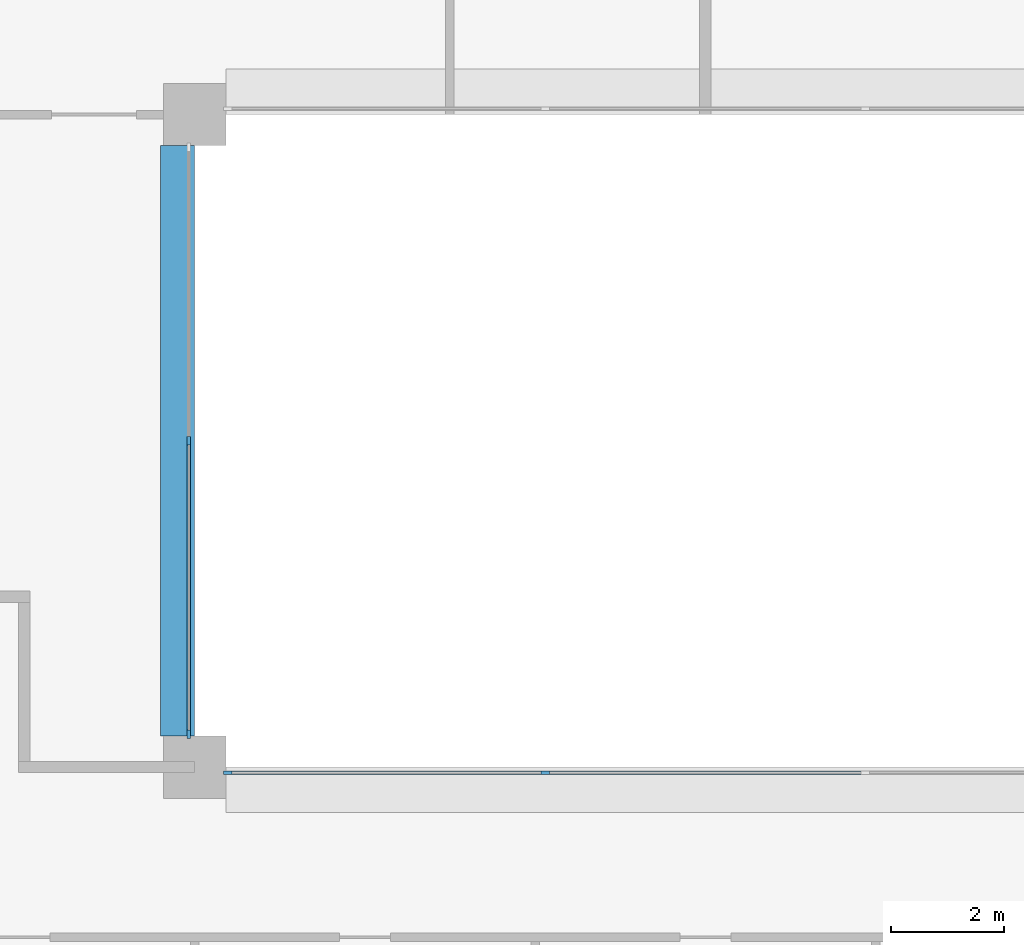
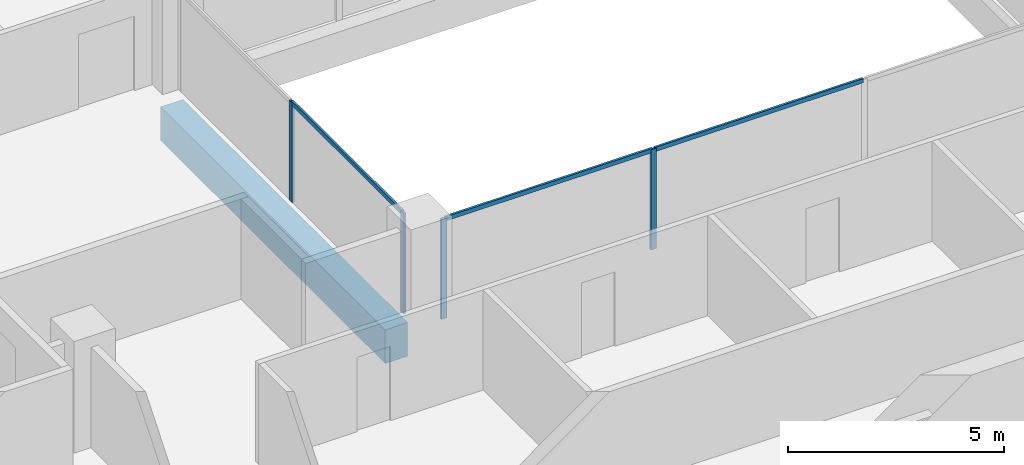
# One storey, part 2 of 15: 7 members, 1 beam, 2 elements without a shape of their own.
"""IFC4 building model written with IfcOpenShell, lengths in metres."""

from ifc_helpers import new_model, si_unit, direction, frame, origin, origin_2d, place, context, subcontext, project, spatial, rectangle, extrude, material, layer, layer_set, material_profile, profile_set, type_object, element, aggregate, save


model = new_model("IFC4")

# Units and contexts
model_context = context("Model", 3, precision=1e-05, world=origin(), true_north=direction((0.0, 1.0)))
body_context = subcontext(model_context, "Body", "Model", "MODEL_VIEW")
ifc_project = project(units=[si_unit("LENGTHUNIT", "METRE"), si_unit("AREAUNIT", "SQUARE_METRE"), si_unit("VOLUMEUNIT", "CUBIC_METRE"), si_unit("PLANEANGLEUNIT", "RADIAN"), si_unit("MASSUNIT", "GRAM", prefix="KILO")], contexts=[model_context])

# Site, building, storey
site_placement = place(None, origin())
site = spatial("IfcSite", under=ifc_project, at=site_placement, CompositionType="ELEMENT")
building_placement = place(site_placement, origin())
building = spatial("IfcBuilding", under=site, at=building_placement, Name="Brigalow Station Residences", CompositionType="ELEMENT")
storey_placement = place(building_placement, frame((0.0, 0.0, 147.60009765625)))
storey = spatial("IfcBuildingStorey", under=building, at=storey_placement, Name="L42", CompositionType="ELEMENT", Elevation=147.60009765625)

# Beam
ifc_material_1 = material(Name="Concrete C65", Category="concrete")
ifc_material_profile_1 = material_profile(ifc_material_1, rectangle(XDim=0.60009765625, YDim=0.949951171875, at=origin_2d()), Name="RC600x950")
ifc_profile_set_1 = profile_set([ifc_material_profile_1], Name="Concrete C65")
beam_type = type_object("IfcBeamType", Name="ATRIUM EDGE GIRDER 600x950 C65", PredefinedType="BEAM", material=ifc_profile_set_1)
beam_placement = place(storey_placement, frame((26.699951171875, 24.550048828125, -0.795166015625), z_axis=(0.0, 1.0, 0.0), x_axis=(-1.0, 0.0, 0.0)))
element("IfcBeam", 1, at=beam_placement, inside=storey, type_object=beam_type, Name="ATRIUM EDGE GIRDER 3 L42", PredefinedType="BEAM", context=body_context, shape_type="SweptSolid", body=[
    extrude(rectangle(XDim=0.60009765625, YDim=0.949951171875, at=origin_2d()), origin(), (0.0, 0.0, 1.0), 10.39990234375),
])

# Curtain wall, members
ifc_material_2 = material(Name="Aluminium", Category="aluminium")
ifc_layer = layer(ifc_material_2, 0.14990234375)
ifc_layer_set = layer_set([ifc_layer], Name="ATRIUM FIRE-RATED GLAZING CURTAIN WALL")
curtain_wall_type = type_object("IfcCurtainWallType", Name="ATRIUM FIRE-RATED GLAZING CURTAIN WALL", PredefinedType="NOTDEFINED", material=ifc_layer_set)
curtain_wall_1_placement = place(storey_placement, origin())
curtain_wall_1 = element("IfcCurtainWall", 2, at=curtain_wall_1_placement, inside=storey, type_object=curtain_wall_type, Name="L42/cw/atrium-S", PredefinedType="NOTDEFINED")
ifc_material_3 = material(Name="Aluminium", Category="aluminium")
ifc_material_profile_2 = material_profile(ifc_material_3, rectangle(XDim=0.06005859375, YDim=0.14990234375, at=origin_2d()), Name="ATRIUM FIRE-RATED GLAZING MULLION 60x150")
ifc_profile_set_2 = profile_set([ifc_material_profile_2], Name="Aluminium")
member_type_1 = type_object("IfcMemberType", Name="ATRIUM FIRE-RATED GLAZING MULLION 60x150", PredefinedType="MULLION", material=ifc_profile_set_2)
member_1_placement = place(storey_placement, frame((27.580078125, 23.89990234375, 0.0), z_axis=(0.0, 0.0, 1.0), x_axis=(0.0, 1.0, 0.0)))
member_1 = element("IfcMember", 3, at=member_1_placement, type_object=member_type_1, Name="L42/cw/atrium-S/M00", PredefinedType="MULLION", context=body_context, shape_type="SweptSolid", body=[
    extrude(rectangle(XDim=0.06005859375, YDim=0.14990234375, at=origin_2d()), origin(), (0.0, 0.0, 1.0), 2.829833984375),
])
member_2_placement = place(storey_placement, frame((33.183349609375, 23.89990234375, 0.0), z_axis=(0.0, 0.0, 1.0), x_axis=(0.0, 1.0, 0.0)))
member_2 = element("IfcMember", 4, at=member_2_placement, type_object=member_type_1, Name="L42/cw/atrium-S/M01", PredefinedType="MULLION", context=body_context, shape_type="SweptSolid", body=[
    extrude(rectangle(XDim=0.06005859375, YDim=0.14990234375, at=origin_2d()), origin(), (0.0, 0.0, 1.0), 2.829833984375),
])

curtain_wall_2_placement = place(storey_placement, origin())
curtain_wall_2 = element("IfcCurtainWall", 5, at=curtain_wall_2_placement, inside=storey, type_object=curtain_wall_type, Name="L42/cw/atrium-W", PredefinedType="NOTDEFINED")
member_3_placement = place(storey_placement, frame((26.89990234375, 29.75, 0.0), z_axis=(0.0, 0.0, 1.0), x_axis=(1.0, 0.0, 0.0)))
member_3 = element("IfcMember", 6, at=member_3_placement, type_object=member_type_1, Name="L42/cw/atrium-W/M01", PredefinedType="MULLION", context=body_context, shape_type="SweptSolid", body=[
    extrude(rectangle(XDim=0.06005859375, YDim=0.14990234375, at=origin_2d()), origin(), (0.0, 0.0, 1.0), 2.829833984375),
])
member_4_placement = place(storey_placement, frame((26.89990234375, 24.580078125, 0.0), z_axis=(0.0, 0.0, 1.0), x_axis=(1.0, 0.0, 0.0)))
member_4 = element("IfcMember", 7, at=member_4_placement, type_object=member_type_1, Name="L42/cw/atrium-W/M02", PredefinedType="MULLION", context=body_context, shape_type="SweptSolid", body=[
    extrude(rectangle(XDim=0.06005859375, YDim=0.14990234375, at=origin_2d()), origin(), (0.0, 0.0, 1.0), 2.829833984375),
])

# Member
ifc_material_4 = material(Name="Aluminium", Category="aluminium")
ifc_material_profile_3 = material_profile(ifc_material_4, rectangle(XDim=0.06005859375, YDim=0.1201171875, at=origin_2d()), Name="ATRIUM FIRE-RATED GLAZING TRANSOM 60x120")
ifc_profile_set_3 = profile_set([ifc_material_profile_3], Name="Aluminium")
member_type_2 = type_object("IfcMemberType", Name="ATRIUM FIRE-RATED GLAZING TRANSOM 60x120", PredefinedType="USERDEFINED", material=ifc_profile_set_3)
member_5_placement = place(storey_placement, frame((27.610107421875, 23.89990234375, 2.7998046875), z_axis=(1.0, 0.0, 0.0), x_axis=(0.0, 1.0, 0.0)))
member_5 = element("IfcMember", 8, at=member_5_placement, type_object=member_type_2, Name="L42/cw/atrium-S/T00-00", ObjectType="TRANSOM", PredefinedType="USERDEFINED", context=body_context, shape_type="SweptSolid", body=[
    extrude(rectangle(XDim=0.06005859375, YDim=0.1201171875, at=origin_2d()), origin(), (0.0, 0.0, 1.0), 5.543212890625),
])

member_6_placement = place(storey_placement, frame((33.21337890625, 23.89990234375, 2.7998046875), z_axis=(1.0, 0.0, 0.0), x_axis=(0.0, 1.0, 0.0)))
member_6 = element("IfcMember", 9, at=member_6_placement, type_object=member_type_2, Name="L42/cw/atrium-S/T01-00", ObjectType="TRANSOM", PredefinedType="USERDEFINED", context=body_context, shape_type="SweptSolid", body=[
    extrude(rectangle(XDim=0.06005859375, YDim=0.1201171875, at=origin_2d()), origin(), (0.0, 0.0, 1.0), 5.5732421875),
])

aggregate(curtain_wall_1, [member_1, member_2, member_5, member_6])

member_7_placement = place(storey_placement, frame((26.89990234375, 29.719970703125, 2.7998046875), z_axis=(0.0, -1.0, 0.0), x_axis=(1.0, 0.0, 0.0)))
member_7 = element("IfcMember", 10, at=member_7_placement, type_object=member_type_2, Name="L42/cw/atrium-W/T01-00", ObjectType="TRANSOM", PredefinedType="USERDEFINED", context=body_context, shape_type="SweptSolid", body=[
    extrude(rectangle(XDim=0.06005859375, YDim=0.1201171875, at=origin_2d()), origin(), (0.0, 0.0, 1.0), 5.10986328125),
])

aggregate(curtain_wall_2, [member_3, member_4, member_7])

save(model, "model.ifc")
